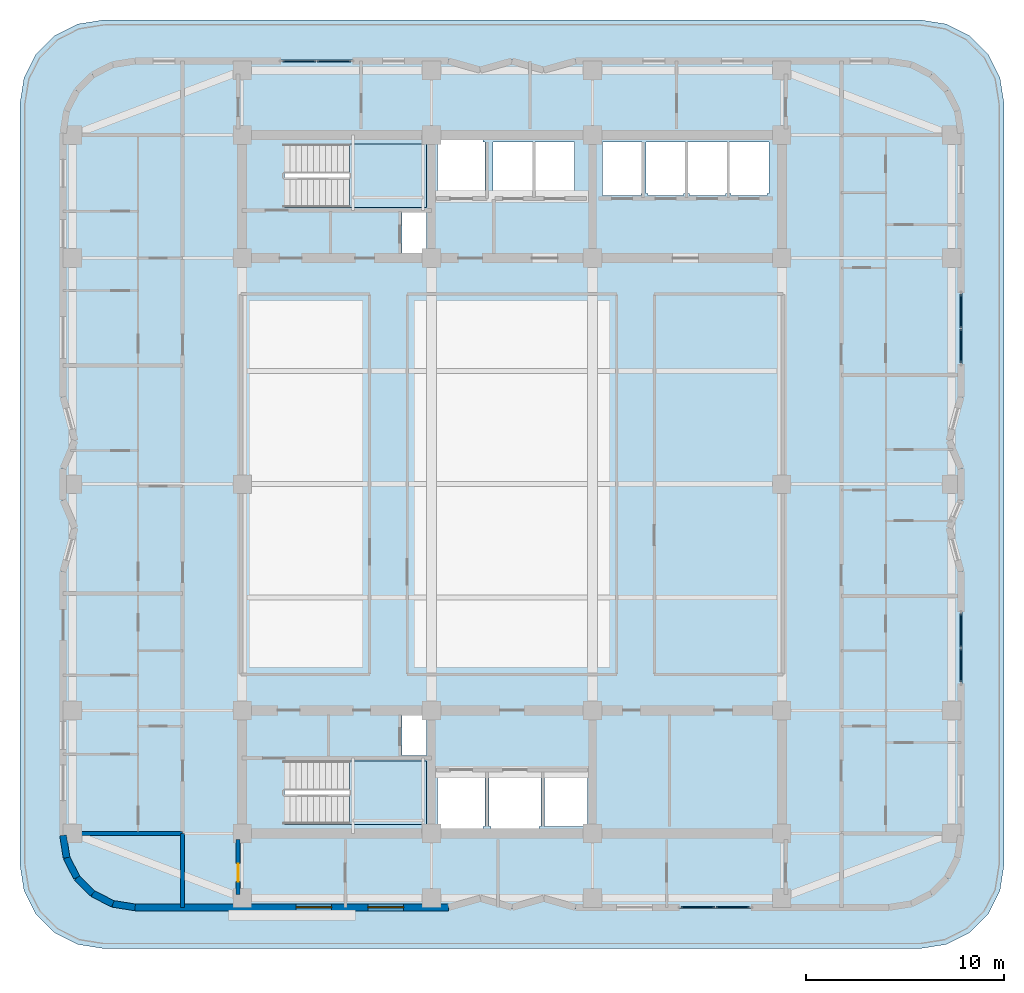
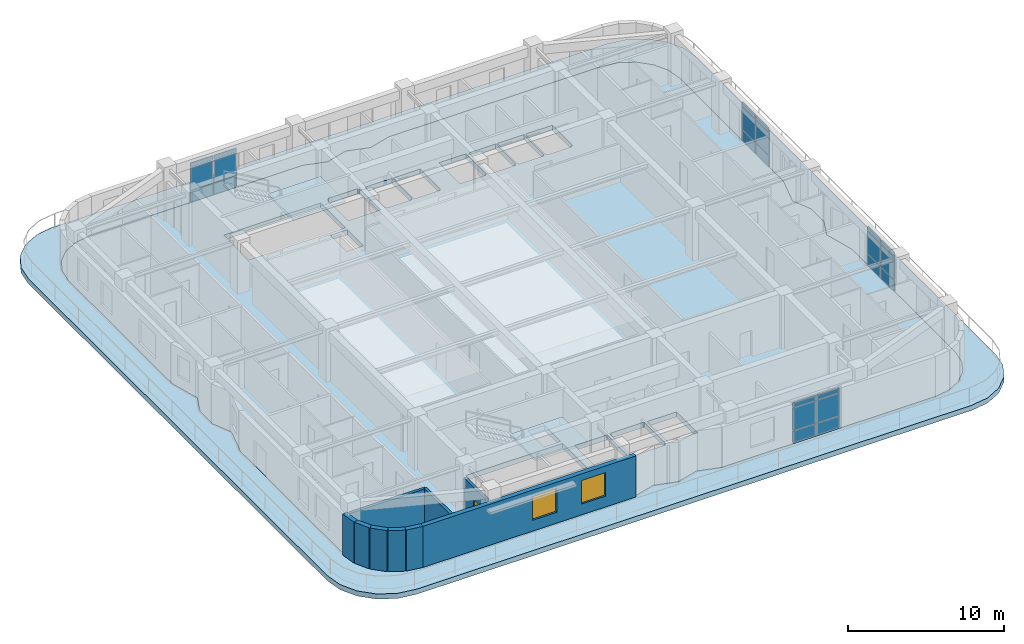
# One storey, part 5 of 14: 24 plates, 9 walls, 4 slabs, 2 windows, 1 door, 3 openings, 6 elements without a shape of their own.
"""IFC4 building model written with IfcOpenShell, lengths in metres."""

import ifcopenshell
import ifcopenshell.guid

model = None  # the IFC model being written
_history = None  # IfcOwnerHistory: only IFC2X3 demands one
_inside = {}  # id of a spatial element -> (the spatial element, [elements in it])
_under = {}  # id of a project, library or spatial element -> (it, [spatial elements below it])
_declared = {}  # id of a project -> (the project, [libraries it declares])
_typed = {}  # id of a type object -> (the type object, [elements of that type])
_made_of = {}  # id of a material, layer set ... -> (it, [elements and type objects made of it])


def new_model(schema):
    """Start an empty IFC model of exactly this schema.

    Asked for "IFC4X3", IfcOpenShell would pick the latest addendum, in which some entities
    have other attributes; the version numbers below select the first issue.
    IFC2X3 requires an IfcOwnerHistory on every rooted entity: one is made here for all.
    """
    global model, _history
    if schema == "IFC4X3":
        model = ifcopenshell.file(schema_version=(4, 3, 0, 0))
    else:
        model = ifcopenshell.file(schema=schema)
    _inside.clear()
    _under.clear()
    _declared.clear()
    _typed.clear()
    _made_of.clear()
    _history = None
    if model.schema == "IFC2X3":
        org = make("IfcOrganization", Name="unknown")
        user = make(
            "IfcPersonAndOrganization",
            ThePerson=make("IfcPerson", FamilyName="unknown"),
            TheOrganization=org,
        )
        app = make(
            "IfcApplication",
            ApplicationDeveloper=org,
            Version="unknown",
            ApplicationFullName="unknown",
            ApplicationIdentifier="unknown",
        )
        _history = make(
            "IfcOwnerHistory",
            OwningUser=user,
            OwningApplication=app,
            ChangeAction="ADDED",
            CreationDate=0,
        )
    return model


def make(cls, **values):
    """One entity of the class cls with the attributes given. An attribute that is None is left unset."""
    return model.create_entity(
        cls, **{name: value for name, value in values.items() if value is not None}
    )


def rooted(cls, **values):
    """An entity with a GlobalId (a new one), such as an element, a storey or a relation."""
    return make(cls, GlobalId=ifcopenshell.guid.new(), OwnerHistory=_history, **values)


def si_unit(unit_type, name, prefix=None):
    """IfcSIUnit, for example si_unit("LENGTHUNIT", "METRE", prefix="MILLI")."""
    return make("IfcSIUnit", UnitType=unit_type, Prefix=prefix, Name=name)


def assignment(units):
    """IfcUnitAssignment: the units of a project."""
    return None if units is None else make("IfcUnitAssignment", Units=units)


def point(xyz):
    """IfcCartesianPoint."""
    return None if xyz is None else make("IfcCartesianPoint", Coordinates=xyz)


def direction(xyz):
    """IfcDirection."""
    return None if xyz is None else make("IfcDirection", DirectionRatios=xyz)


def frame(location, z_axis=None, x_axis=None):
    """IfcAxis2Placement3D, a coordinate frame: its origin and axes. An axis left out is left unset."""
    return make(
        "IfcAxis2Placement3D",
        Location=point(location),
        Axis=direction(z_axis),
        RefDirection=direction(x_axis),
    )


def frame_2d(location, x_axis=None):
    """IfcAxis2Placement2D, a coordinate frame in the plane: its origin and x axis."""
    return make(
        "IfcAxis2Placement2D", Location=point(location), RefDirection=direction(x_axis)
    )


def origin():
    """The frame at (0, 0, 0) with its axes left unset."""
    return frame((0.0, 0.0, 0.0))


def origin_2d():
    """The frame at (0, 0) in the plane with its x axis left unset."""
    return frame_2d((0.0, 0.0))


def place(relative_to, where):
    """IfcLocalPlacement: puts the frame where relative to a parent placement (None: the world)."""
    return make(
        "IfcLocalPlacement", PlacementRelTo=relative_to, RelativePlacement=where
    )


def context(
    kind, dimensions, precision=None, world=None, true_north=None, identifier=None
):
    """IfcGeometricRepresentationContext, for example the 3D "Model" context."""
    return make(
        "IfcGeometricRepresentationContext",
        ContextIdentifier=identifier,
        ContextType=kind,
        CoordinateSpaceDimension=dimensions,
        Precision=precision,
        WorldCoordinateSystem=world,
        TrueNorth=true_north,
    )


def subcontext(parent, identifier, kind, view, scale=None):
    """IfcGeometricRepresentationSubContext, for example "Body" below "Model"."""
    return make(
        "IfcGeometricRepresentationSubContext",
        ContextIdentifier=identifier,
        ContextType=kind,
        ParentContext=parent,
        TargetScale=scale,
        TargetView=view,
    )


def project(units=None, contexts=None):
    """IfcProject with its units and contexts."""
    return rooted(
        "IfcProject",
        Name="project",
        RepresentationContexts=contexts,
        UnitsInContext=assignment(units),
    )


def spatial(cls, under=None, at=None, **own):
    """A site, building, storey or space (cls), placed at a placement, below another one or the project."""
    s = rooted(cls, ObjectPlacement=at, **own)
    if under is not None:
        _under.setdefault(under.id(), (under, []))[1].append(s)
    return s


def polyline(points):
    """IfcPolyline through the points."""
    return make("IfcPolyline", Points=[point(p) for p in points])


def profile(cls, at=None, kind="AREA", **sizes):
    """A parametric profile (cls). Its sizes go by their IFC names, for example OverallWidth=200.0."""
    return make(cls, ProfileType=kind, Position=at, **sizes)


def rectangle(**sizes):
    """IfcRectangleProfileDef."""
    return profile("IfcRectangleProfileDef", **sizes)


def outline(outer, holes=None, kind="AREA"):
    """IfcArbitraryClosedProfileDef: a profile drawn as a closed curve; with holes, ...WithVoids."""
    if holes is None:
        return make("IfcArbitraryClosedProfileDef", ProfileType=kind, OuterCurve=outer)
    return make(
        "IfcArbitraryProfileDefWithVoids",
        ProfileType=kind,
        OuterCurve=outer,
        InnerCurves=holes,
    )


def extrude(swept, where, along, depth):
    """IfcExtrudedAreaSolid: the profile swept, set in the frame where, extruded along a direction by depth."""
    return make(
        "IfcExtrudedAreaSolid",
        SweptArea=swept,
        Position=where,
        ExtrudedDirection=direction(along),
        Depth=depth,
    )


def shape(context_of_items, identifier, shape_type, items):
    """IfcShapeRepresentation: the items that make up one representation, for example the "Body"."""
    return make(
        "IfcShapeRepresentation",
        ContextOfItems=context_of_items,
        RepresentationIdentifier=identifier,
        RepresentationType=shape_type,
        Items=items,
    )


def material(Name=None, Category=None):
    """IfcMaterial."""
    return make("IfcMaterial", Name=Name, Category=Category)


def layer(
    of_material, thickness, ventilated=None, Name=None, Category=None, Priority=None
):
    """IfcMaterialLayer: one layer of a wall or slab, of a material (None: an air gap)."""
    return make(
        "IfcMaterialLayer",
        Material=of_material,
        LayerThickness=thickness,
        IsVentilated=ventilated,
        Name=Name,
        Category=Category,
        Priority=Priority,
    )


def layer_set(layers, Name=None):
    """IfcMaterialLayerSet."""
    return make("IfcMaterialLayerSet", MaterialLayers=layers, LayerSetName=Name)


def made_of(thing, what):
    """Note that an element or type object is made of a material, layer set ...; save() writes the relation."""
    if what is not None:
        _made_of.setdefault(what.id(), (what, []))[1].append(thing)
    return thing


def type_object(cls, material=None, **own):
    """A type object (cls), such as IfcWallType, which elements share."""
    return made_of(rooted(cls, **own), material)


def element(
    cls,
    number,
    at=None,
    inside=None,
    cuts=None,
    type_object=None,
    material=None,
    context=None,
    identifier="Body",
    shape_type=None,
    held_by="IfcProductDefinitionShape",
    body=None,
    shapes=None,
    **own,
):
    """One element of the class cls, such as IfcWall. Its Tag is "e" and its number.

    at: its placement. inside: the storey or other place that contains it. cuts: it is an
    opening in that element (IfcRelVoidsElement). A single representation is given by context,
    identifier, shape_type and body (its items); several are given by shapes. held_by: the class
    of the entity that holds the representations. save() writes the other relations.
    """
    e = rooted(cls, Tag="e%d" % number, ObjectPlacement=at, **own)
    if body is not None:
        shapes = [shape(context, identifier, shape_type, body)]
    if shapes is not None:
        e.Representation = make(held_by, Representations=shapes)
    if inside is not None:
        _inside.setdefault(inside.id(), (inside, []))[1].append(e)
    if cuts is not None:
        rooted(
            "IfcRelVoidsElement", RelatingBuildingElement=cuts, RelatedOpeningElement=e
        )
    if type_object is not None:
        _typed.setdefault(type_object.id(), (type_object, []))[1].append(e)
    return made_of(e, material)


def fill(opening, filler):
    """IfcRelFillsElement: the door or window that sits in an opening."""
    return rooted(
        "IfcRelFillsElement",
        RelatingOpeningElement=opening,
        RelatedBuildingElement=filler,
    )


def aggregate(whole, parts):
    """IfcRelAggregates: a whole, such as a stair, and the parts it consists of."""
    return rooted("IfcRelAggregates", RelatingObject=whole, RelatedObjects=parts)


def save(model, path):
    """Write the relations noted so far, then the file.

    IfcRelAggregates (storeys below a building ...), IfcRelContainedInSpatialStructure (elements
    in a storey), IfcRelDefinesByType, IfcRelAssociatesMaterial and IfcRelDeclares: one each for
    every whole, place, type object, material and project.
    """
    for whole, parts in _under.values():
        aggregate(whole, parts)
    for where, things in _inside.values():
        rooted(
            "IfcRelContainedInSpatialStructure",
            RelatedElements=things,
            RelatingStructure=where,
        )
    for kind, things in _typed.values():
        rooted("IfcRelDefinesByType", RelatedObjects=things, RelatingType=kind)
    for what, things in _made_of.values():
        rooted("IfcRelAssociatesMaterial", RelatedObjects=things, RelatingMaterial=what)
    for by, libraries in _declared.values():
        rooted("IfcRelDeclares", RelatingContext=by, RelatedDefinitions=libraries)
    model.write(path)


model = new_model("IFC4")

# Units and contexts
model_context = context("Model", 3, precision=1e-05, world=origin(), true_north=direction((0.0, 1.0)))
body_context = subcontext(model_context, "Body", "Model", "MODEL_VIEW")
ifc_project = project(units=[si_unit("LENGTHUNIT", "METRE"), si_unit("AREAUNIT", "SQUARE_METRE"), si_unit("VOLUMEUNIT", "CUBIC_METRE"), si_unit("PLANEANGLEUNIT", "RADIAN"), si_unit("MASSUNIT", "GRAM", prefix="KILO")], contexts=[model_context])

# Site, building, storey
site_placement = place(None, origin())
site = spatial("IfcSite", under=ifc_project, at=site_placement, CompositionType="ELEMENT")
building_placement = place(site_placement, origin())
building = spatial("IfcBuilding", under=site, at=building_placement, Name="Svetorya Sky Lyceum", CompositionType="ELEMENT")
storey_placement = place(building_placement, frame((0.0, 0.0, 143.60009765625)))
storey = spatial("IfcBuildingStorey", under=building, at=storey_placement, Name="L35", CompositionType="ELEMENT", Elevation=143.60009765625)

# Curtain wall, plates
ifc_material_1 = material(Name="Thermally broken anodized aluminium and triple low-E glass", Category="aluminium")
curtain_wall_type = type_object("IfcCurtainWallType", Name="CW4-SKY-GALL", PredefinedType="NOTDEFINED", material=ifc_material_1)
curtain_wall_1_placement = place(storey_placement, origin())
curtain_wall_1 = element("IfcCurtainWall", 1, at=curtain_wall_1_placement, inside=storey, type_object=curtain_wall_type, Name="L35 Sky-Lobby Panorama Curtain Wall 11", PredefinedType="NOTDEFINED")
ifc_material_2 = material(Name="Acoustic laminated observatory triple glass", Category="glass")
ifc_layer_1 = layer(ifc_material_2, 0.055908203125)
ifc_layer_set_1 = layer_set([ifc_layer_1], Name="Acoustic laminated observatory triple glass")
plate_type = type_object("IfcPlateType", Name="CWP-GLZ-56", PredefinedType="CURTAIN_PANEL", material=ifc_layer_set_1)
plate_1_placement = place(storey_placement, frame((48.5712890625, 6.8701171875, 0.073486328125), z_axis=(0.0, 0.0, 1.0), x_axis=(1.0, 0.0, 0.0)))
plate_1 = element("IfcPlate", 2, at=plate_1_placement, type_object=plate_type, Name="CW-4 panel 1.1", PredefinedType="CURTAIN_PANEL", context=body_context, shape_type="SweptSolid", body=[
    extrude(rectangle(XDim=1.675537109375, YDim=0.055908203125, at=origin_2d()), origin(), (0.0, 0.0, 1.0), 0.8564453125),
])
plate_2_placement = place(storey_placement, frame((48.5712890625, 6.8701171875, 1.001953125), z_axis=(0.0, 0.0, 1.0), x_axis=(1.0, 0.0, 0.0)))
plate_2 = element("IfcPlate", 3, at=plate_2_placement, type_object=plate_type, Name="CW-4 panel 1.2", PredefinedType="CURTAIN_PANEL", context=body_context, shape_type="SweptSolid", body=[
    extrude(rectangle(XDim=1.675537109375, YDim=0.055908203125, at=origin_2d()), origin(), (0.0, 0.0, 1.0), 1.73193359375),
])
plate_3_placement = place(storey_placement, frame((48.5712890625, 6.8701171875, 2.8056640625), z_axis=(0.0, 0.0, 1.0), x_axis=(1.0, 0.0, 0.0)))
plate_3 = element("IfcPlate", 4, at=plate_3_placement, type_object=plate_type, Name="CW-4 panel 1.3", PredefinedType="CURTAIN_PANEL", context=body_context, shape_type="SweptSolid", body=[
    extrude(rectangle(XDim=1.675537109375, YDim=0.055908203125, at=origin_2d()), origin(), (0.0, 0.0, 1.0), 0.340576171875),
])
plate_4_placement = place(storey_placement, frame((50.328857421875, 6.8701171875, 0.073486328125), z_axis=(0.0, 0.0, 1.0), x_axis=(1.0, 0.0, 0.0)))
plate_4 = element("IfcPlate", 5, at=plate_4_placement, type_object=plate_type, Name="CW-4 panel 2.1", PredefinedType="CURTAIN_PANEL", context=body_context, shape_type="SweptSolid", body=[
    extrude(rectangle(XDim=1.675537109375, YDim=0.055908203125, at=origin_2d()), origin(), (0.0, 0.0, 1.0), 0.8564453125),
])
plate_5_placement = place(storey_placement, frame((50.328857421875, 6.8701171875, 1.001953125), z_axis=(0.0, 0.0, 1.0), x_axis=(1.0, 0.0, 0.0)))
plate_5 = element("IfcPlate", 6, at=plate_5_placement, type_object=plate_type, Name="CW-4 panel 2.2", PredefinedType="CURTAIN_PANEL", context=body_context, shape_type="SweptSolid", body=[
    extrude(rectangle(XDim=1.675537109375, YDim=0.055908203125, at=origin_2d()), origin(), (0.0, 0.0, 1.0), 1.73193359375),
])
plate_6_placement = place(storey_placement, frame((50.328857421875, 6.8701171875, 2.8056640625), z_axis=(0.0, 0.0, 1.0), x_axis=(1.0, 0.0, 0.0)))
plate_6 = element("IfcPlate", 7, at=plate_6_placement, type_object=plate_type, Name="CW-4 panel 2.3", PredefinedType="CURTAIN_PANEL", context=body_context, shape_type="SweptSolid", body=[
    extrude(rectangle(XDim=1.675537109375, YDim=0.055908203125, at=origin_2d()), origin(), (0.0, 0.0, 1.0), 0.340576171875),
])
aggregate(curtain_wall_1, [plate_1, plate_2, plate_3, plate_4, plate_5, plate_6])

curtain_wall_2_placement = place(storey_placement, origin())
curtain_wall_2 = element("IfcCurtainWall", 8, at=curtain_wall_2_placement, inside=storey, type_object=curtain_wall_type, Name="L35 Sky-Lobby Panorama Curtain Wall 17", PredefinedType="NOTDEFINED")
plate_7_placement = place(storey_placement, frame((61.830078125, 19.0712890625, 0.073486328125), z_axis=(0.0, 0.0, 1.0), x_axis=(0.0, 1.0, 0.0)))
plate_7 = element("IfcPlate", 9, at=plate_7_placement, type_object=plate_type, Name="CW-4 panel 1.1", PredefinedType="CURTAIN_PANEL", context=body_context, shape_type="SweptSolid", body=[
    extrude(rectangle(XDim=1.675537109375, YDim=0.055908203125, at=origin_2d()), origin(), (0.0, 0.0, 1.0), 0.8564453125),
])
plate_8_placement = place(storey_placement, frame((61.830078125, 19.0712890625, 1.001953125), z_axis=(0.0, 0.0, 1.0), x_axis=(0.0, 1.0, 0.0)))
plate_8 = element("IfcPlate", 10, at=plate_8_placement, type_object=plate_type, Name="CW-4 panel 1.2", PredefinedType="CURTAIN_PANEL", context=body_context, shape_type="SweptSolid", body=[
    extrude(rectangle(XDim=1.675537109375, YDim=0.055908203125, at=origin_2d()), origin(), (0.0, 0.0, 1.0), 1.73193359375),
])
plate_9_placement = place(storey_placement, frame((61.830078125, 19.0712890625, 2.8056640625), z_axis=(0.0, 0.0, 1.0), x_axis=(0.0, 1.0, 0.0)))
plate_9 = element("IfcPlate", 11, at=plate_9_placement, type_object=plate_type, Name="CW-4 panel 1.3", PredefinedType="CURTAIN_PANEL", context=body_context, shape_type="SweptSolid", body=[
    extrude(rectangle(XDim=1.675537109375, YDim=0.055908203125, at=origin_2d()), origin(), (0.0, 0.0, 1.0), 0.340576171875),
])
plate_10_placement = place(storey_placement, frame((61.830078125, 20.828857421875, 0.073486328125), z_axis=(0.0, 0.0, 1.0), x_axis=(0.0, 1.0, 0.0)))
plate_10 = element("IfcPlate", 12, at=plate_10_placement, type_object=plate_type, Name="CW-4 panel 2.1", PredefinedType="CURTAIN_PANEL", context=body_context, shape_type="SweptSolid", body=[
    extrude(rectangle(XDim=1.675537109375, YDim=0.055908203125, at=origin_2d()), origin(), (0.0, 0.0, 1.0), 0.8564453125),
])
plate_11_placement = place(storey_placement, frame((61.830078125, 20.828857421875, 1.001953125), z_axis=(0.0, 0.0, 1.0), x_axis=(0.0, 1.0, 0.0)))
plate_11 = element("IfcPlate", 13, at=plate_11_placement, type_object=plate_type, Name="CW-4 panel 2.2", PredefinedType="CURTAIN_PANEL", context=body_context, shape_type="SweptSolid", body=[
    extrude(rectangle(XDim=1.675537109375, YDim=0.055908203125, at=origin_2d()), origin(), (0.0, 0.0, 1.0), 1.73193359375),
])
plate_12_placement = place(storey_placement, frame((61.830078125, 20.828857421875, 2.8056640625), z_axis=(0.0, 0.0, 1.0), x_axis=(0.0, 1.0, 0.0)))
plate_12 = element("IfcPlate", 14, at=plate_12_placement, type_object=plate_type, Name="CW-4 panel 2.3", PredefinedType="CURTAIN_PANEL", context=body_context, shape_type="SweptSolid", body=[
    extrude(rectangle(XDim=1.675537109375, YDim=0.055908203125, at=origin_2d()), origin(), (0.0, 0.0, 1.0), 0.340576171875),
])
aggregate(curtain_wall_2, [plate_7, plate_8, plate_9, plate_10, plate_11, plate_12])

curtain_wall_3_placement = place(storey_placement, origin())
curtain_wall_3 = element("IfcCurtainWall", 15, at=curtain_wall_3_placement, inside=storey, type_object=curtain_wall_type, Name="L35 Sky-Lobby Panorama Curtain Wall 23", PredefinedType="NOTDEFINED")
plate_13_placement = place(storey_placement, frame((61.830078125, 35.171142578125, 0.073486328125), z_axis=(0.0, 0.0, 1.0), x_axis=(0.0, 1.0, 0.0)))
plate_13 = element("IfcPlate", 16, at=plate_13_placement, type_object=plate_type, Name="CW-4 panel 1.1", PredefinedType="CURTAIN_PANEL", context=body_context, shape_type="SweptSolid", body=[
    extrude(rectangle(XDim=1.675537109375, YDim=0.055908203125, at=origin_2d()), origin(), (0.0, 0.0, 1.0), 0.8564453125),
])
plate_14_placement = place(storey_placement, frame((61.830078125, 35.171142578125, 1.001953125), z_axis=(0.0, 0.0, 1.0), x_axis=(0.0, 1.0, 0.0)))
plate_14 = element("IfcPlate", 17, at=plate_14_placement, type_object=plate_type, Name="CW-4 panel 1.2", PredefinedType="CURTAIN_PANEL", context=body_context, shape_type="SweptSolid", body=[
    extrude(rectangle(XDim=1.675537109375, YDim=0.055908203125, at=origin_2d()), origin(), (0.0, 0.0, 1.0), 1.73193359375),
])
plate_15_placement = place(storey_placement, frame((61.830078125, 35.171142578125, 2.8056640625), z_axis=(0.0, 0.0, 1.0), x_axis=(0.0, 1.0, 0.0)))
plate_15 = element("IfcPlate", 18, at=plate_15_placement, type_object=plate_type, Name="CW-4 panel 1.3", PredefinedType="CURTAIN_PANEL", context=body_context, shape_type="SweptSolid", body=[
    extrude(rectangle(XDim=1.675537109375, YDim=0.055908203125, at=origin_2d()), origin(), (0.0, 0.0, 1.0), 0.340576171875),
])
plate_16_placement = place(storey_placement, frame((61.830078125, 36.9287109375, 0.073486328125), z_axis=(0.0, 0.0, 1.0), x_axis=(0.0, 1.0, 0.0)))
plate_16 = element("IfcPlate", 19, at=plate_16_placement, type_object=plate_type, Name="CW-4 panel 2.1", PredefinedType="CURTAIN_PANEL", context=body_context, shape_type="SweptSolid", body=[
    extrude(rectangle(XDim=1.675537109375, YDim=0.055908203125, at=origin_2d()), origin(), (0.0, 0.0, 1.0), 0.8564453125),
])
plate_17_placement = place(storey_placement, frame((61.830078125, 36.9287109375, 1.001953125), z_axis=(0.0, 0.0, 1.0), x_axis=(0.0, 1.0, 0.0)))
plate_17 = element("IfcPlate", 20, at=plate_17_placement, type_object=plate_type, Name="CW-4 panel 2.2", PredefinedType="CURTAIN_PANEL", context=body_context, shape_type="SweptSolid", body=[
    extrude(rectangle(XDim=1.675537109375, YDim=0.055908203125, at=origin_2d()), origin(), (0.0, 0.0, 1.0), 1.73193359375),
])
plate_18_placement = place(storey_placement, frame((61.830078125, 36.9287109375, 2.8056640625), z_axis=(0.0, 0.0, 1.0), x_axis=(0.0, 1.0, 0.0)))
plate_18 = element("IfcPlate", 21, at=plate_18_placement, type_object=plate_type, Name="CW-4 panel 2.3", PredefinedType="CURTAIN_PANEL", context=body_context, shape_type="SweptSolid", body=[
    extrude(rectangle(XDim=1.675537109375, YDim=0.055908203125, at=origin_2d()), origin(), (0.0, 0.0, 1.0), 0.340576171875),
])
aggregate(curtain_wall_3, [plate_13, plate_14, plate_15, plate_16, plate_17, plate_18])

curtain_wall_4_placement = place(storey_placement, origin())
curtain_wall_4 = element("IfcCurtainWall", 22, at=curtain_wall_4_placement, inside=storey, type_object=curtain_wall_type, Name="L35 Sky-Lobby Panorama Curtain Wall 34", PredefinedType="NOTDEFINED")
plate_19_placement = place(storey_placement, frame((30.228759765625, 49.530029296875, 0.073486328125), z_axis=(0.0, 0.0, 1.0), x_axis=(-1.0, 0.0, 0.0)))
plate_19 = element("IfcPlate", 23, at=plate_19_placement, type_object=plate_type, Name="CW-4 panel 1.1", PredefinedType="CURTAIN_PANEL", context=body_context, shape_type="SweptSolid", body=[
    extrude(rectangle(XDim=1.675537109375, YDim=0.055908203125, at=origin_2d()), origin(), (0.0, 0.0, 1.0), 0.8564453125),
])
plate_20_placement = place(storey_placement, frame((30.228759765625, 49.530029296875, 1.001953125), z_axis=(0.0, 0.0, 1.0), x_axis=(-1.0, 0.0, 0.0)))
plate_20 = element("IfcPlate", 24, at=plate_20_placement, type_object=plate_type, Name="CW-4 panel 1.2", PredefinedType="CURTAIN_PANEL", context=body_context, shape_type="SweptSolid", body=[
    extrude(rectangle(XDim=1.675537109375, YDim=0.055908203125, at=origin_2d()), origin(), (0.0, 0.0, 1.0), 1.73193359375),
])
plate_21_placement = place(storey_placement, frame((30.228759765625, 49.530029296875, 2.8056640625), z_axis=(0.0, 0.0, 1.0), x_axis=(-1.0, 0.0, 0.0)))
plate_21 = element("IfcPlate", 25, at=plate_21_placement, type_object=plate_type, Name="CW-4 panel 1.3", PredefinedType="CURTAIN_PANEL", context=body_context, shape_type="SweptSolid", body=[
    extrude(rectangle(XDim=1.675537109375, YDim=0.055908203125, at=origin_2d()), origin(), (0.0, 0.0, 1.0), 0.340576171875),
])
plate_22_placement = place(storey_placement, frame((28.47119140625, 49.530029296875, 0.073486328125), z_axis=(0.0, 0.0, 1.0), x_axis=(-1.0, 0.0, 0.0)))
plate_22 = element("IfcPlate", 26, at=plate_22_placement, type_object=plate_type, Name="CW-4 panel 2.1", PredefinedType="CURTAIN_PANEL", context=body_context, shape_type="SweptSolid", body=[
    extrude(rectangle(XDim=1.675537109375, YDim=0.055908203125, at=origin_2d()), origin(), (0.0, 0.0, 1.0), 0.8564453125),
])
plate_23_placement = place(storey_placement, frame((28.47119140625, 49.530029296875, 1.001953125), z_axis=(0.0, 0.0, 1.0), x_axis=(-1.0, 0.0, 0.0)))
plate_23 = element("IfcPlate", 27, at=plate_23_placement, type_object=plate_type, Name="CW-4 panel 2.2", PredefinedType="CURTAIN_PANEL", context=body_context, shape_type="SweptSolid", body=[
    extrude(rectangle(XDim=1.675537109375, YDim=0.055908203125, at=origin_2d()), origin(), (0.0, 0.0, 1.0), 1.73193359375),
])
plate_24_placement = place(storey_placement, frame((28.47119140625, 49.530029296875, 2.8056640625), z_axis=(0.0, 0.0, 1.0), x_axis=(-1.0, 0.0, 0.0)))
plate_24 = element("IfcPlate", 28, at=plate_24_placement, type_object=plate_type, Name="CW-4 panel 2.3", PredefinedType="CURTAIN_PANEL", context=body_context, shape_type="SweptSolid", body=[
    extrude(rectangle(XDim=1.675537109375, YDim=0.055908203125, at=origin_2d()), origin(), (0.0, 0.0, 1.0), 0.340576171875),
])
aggregate(curtain_wall_4, [plate_19, plate_20, plate_21, plate_22, plate_23, plate_24])

# Stair, slab
ifc_material_3 = material(Name="Concrete C40/50", Category="concrete")
stair_type_1 = type_object("IfcStairType", Name="STR-ST-S", PredefinedType="HALF_TURN_STAIR", material=ifc_material_3)
stair_1_placement = place(storey_placement, origin())
stair_1 = element("IfcStair", 29, at=stair_1_placement, inside=storey, type_object=stair_type_1, Name="L35 South Core Smoke-Free Exit Stair N2", PredefinedType="HALF_TURN_STAIR")
ifc_layer_2 = layer(ifc_material_3, 0.199951171875)
ifc_layer_set_2 = layer_set([ifc_layer_2], Name="Concrete C40/50")
slab_type_1 = type_object("IfcSlabType", Name="SL-STR-LAND-200", PredefinedType="LANDING", material=ifc_layer_set_2)
slab_1_placement = place(storey_placement, frame((0.0, 0.0, 1.89990234375)))
slab_1 = element("IfcSlab", 30, at=slab_1_placement, type_object=slab_type_1, Name="ST-S landing 1", PredefinedType="LANDING", context=body_context, shape_type="SweptSolid", body=[
    extrude(outline(polyline([(31.0, 11.050048828125), (34.89990234375, 11.050048828125), (34.89990234375, 14.25), (31.0, 14.25), (31.0, 11.050048828125)])), origin(), (0.0, 0.0, 1.0), 0.199951171875),
])
aggregate(stair_1, [slab_1])

stair_type_2 = type_object("IfcStairType", Name="STR-ST-N", PredefinedType="HALF_TURN_STAIR", material=ifc_material_3)
stair_2_placement = place(storey_placement, origin())
stair_2 = element("IfcStair", 31, at=stair_2_placement, inside=storey, type_object=stair_type_2, Name="L35 North Core Smoke-Free Exit Stair N3", PredefinedType="HALF_TURN_STAIR")
slab_2_placement = place(storey_placement, frame((0.0, 0.0, 1.89990234375)))
slab_2 = element("IfcSlab", 32, at=slab_2_placement, type_object=slab_type_1, Name="ST-N landing 1", PredefinedType="LANDING", context=body_context, shape_type="SweptSolid", body=[
    extrude(outline(polyline([(31.0, 42.14990234375), (34.89990234375, 42.14990234375), (34.89990234375, 45.35009765625), (31.0, 45.35009765625), (31.0, 42.14990234375)])), origin(), (0.0, 0.0, 1.0), 0.199951171875),
])
aggregate(stair_2, [slab_2])

# Slabs
ifc_material_4 = material(Name="Concrete C60/75", Category="concrete")
ifc_layer_3 = layer(ifc_material_4, 0.39990234375)
ifc_layer_set_3 = layer_set([ifc_layer_3], Name="Concrete C60/75")
slab_type_2 = type_object("IfcSlabType", Name="SL-TER-400", PredefinedType="ROOF", material=ifc_layer_set_3)
slab_3_placement = place(storey_placement, frame((0.0, 0.0, -0.400146484375)))
element("IfcSlab", 33, at=slab_3_placement, inside=storey, type_object=slab_type_2, Name="L35 Setback Roof Terrace Apron", PredefinedType="ROOF", context=body_context, shape_type="SweptSolid", body=[
    extrude(outline(polyline([(14.39990234375, 9.0), (14.605712890625, 7.7021484375), (15.2021484375, 6.53125), (16.13134765625, 5.60205078125), (17.302001953125, 5.005615234375), (18.60009765625, 4.800048828125), (59.800048828125, 4.800048828125), (61.097900390625, 5.005615234375), (62.268798828125, 5.60205078125), (63.197998046875, 6.53125), (63.79443359375, 7.7021484375), (64.0, 9.0), (64.0, 47.39990234375), (63.79443359375, 48.697998046875), (63.197998046875, 49.86865234375), (62.268798828125, 50.7978515625), (61.097900390625, 51.394287109375), (59.800048828125, 51.60009765625), (18.60009765625, 51.60009765625), (17.302001953125, 51.394287109375), (16.13134765625, 50.7978515625), (15.2021484375, 49.86865234375), (14.605712890625, 48.697998046875), (14.39990234375, 47.39990234375), (14.39990234375, 9.0)]), holes=[polyline([(16.52001953125, 10.5), (16.7001953125, 9.36279296875), (17.222900390625, 8.3369140625), (18.037109375, 7.522705078125), (19.062744140625, 7.0), (20.199951171875, 6.820068359375), (36.0, 6.820068359375), (37.60009765625, 7.27001953125), (39.199951171875, 6.820068359375), (40.800048828125, 7.27001953125), (42.39990234375, 6.820068359375), (58.199951171875, 6.820068359375), (59.337158203125, 7.0), (60.363037109375, 7.522705078125), (61.17724609375, 8.3369140625), (61.699951171875, 9.36279296875), (61.8798828125, 10.5), (61.8798828125, 23.800048828125), (61.280029296875, 26.0), (61.8798828125, 27.39990234375), (61.8798828125, 29.0), (61.280029296875, 30.39990234375), (61.8798828125, 32.60009765625), (61.8798828125, 45.89990234375), (61.699951171875, 47.037109375), (61.17724609375, 48.06298828125), (60.363037109375, 48.877197265625), (59.337158203125, 49.39990234375), (58.199951171875, 49.580078125), (42.39990234375, 49.580078125), (40.800048828125, 49.1298828125), (39.199951171875, 49.580078125), (37.60009765625, 49.1298828125), (36.0, 49.580078125), (20.199951171875, 49.580078125), (19.062744140625, 49.39990234375), (18.037109375, 48.877197265625), (17.222900390625, 48.06298828125), (16.7001953125, 47.037109375), (16.52001953125, 45.89990234375), (16.52001953125, 32.60009765625), (17.1201171875, 30.39990234375), (16.52001953125, 29.0), (16.52001953125, 27.39990234375), (17.1201171875, 26.0), (16.52001953125, 23.800048828125), (16.52001953125, 10.5)])]), origin(), (0.0, 0.0, 1.0), 0.400146484375),
])
ifc_layer_4 = layer(ifc_material_4, 0.39990234375)
ifc_layer_set_4 = layer_set([ifc_layer_4], Name="Concrete C60/75")
slab_type_3 = type_object("IfcSlabType", Name="SL-TRF-400", PredefinedType="FLOOR", material=ifc_layer_set_4)
slab_4_placement = place(storey_placement, frame((0.0, 0.0, -0.400146484375)))
element("IfcSlab", 34, at=slab_4_placement, inside=storey, type_object=slab_type_3, Name="L35 Structural Floor Slab", PredefinedType="FLOOR", context=body_context, shape_type="SweptSolid", body=[
    extrude(outline(polyline([(16.52001953125, 10.5), (16.7001953125, 9.36279296875), (17.222900390625, 8.3369140625), (18.037109375, 7.522705078125), (19.062744140625, 7.0), (20.199951171875, 6.820068359375), (36.0, 6.820068359375), (37.60009765625, 7.27001953125), (39.199951171875, 6.820068359375), (40.800048828125, 7.27001953125), (42.39990234375, 6.820068359375), (58.199951171875, 6.820068359375), (59.337158203125, 7.0), (60.363037109375, 7.522705078125), (61.17724609375, 8.3369140625), (61.699951171875, 9.36279296875), (61.8798828125, 10.5), (61.8798828125, 23.800048828125), (61.280029296875, 26.0), (61.8798828125, 27.39990234375), (61.8798828125, 29.0), (61.280029296875, 30.39990234375), (61.8798828125, 32.60009765625), (61.8798828125, 45.89990234375), (61.699951171875, 47.037109375), (61.17724609375, 48.06298828125), (60.363037109375, 48.877197265625), (59.337158203125, 49.39990234375), (58.199951171875, 49.580078125), (42.39990234375, 49.580078125), (40.800048828125, 49.1298828125), (39.199951171875, 49.580078125), (37.60009765625, 49.1298828125), (36.0, 49.580078125), (20.199951171875, 49.580078125), (19.062744140625, 49.39990234375), (18.037109375, 48.877197265625), (17.222900390625, 48.06298828125), (16.7001953125, 47.037109375), (16.52001953125, 45.89990234375), (16.52001953125, 32.60009765625), (17.1201171875, 30.39990234375), (16.52001953125, 29.0), (16.52001953125, 27.39990234375), (17.1201171875, 26.0), (16.52001953125, 23.800048828125), (16.52001953125, 10.5)]), holes=[polyline([(37.85009765625, 10.949951171875), (37.75, 10.949951171875), (37.75, 10.85009765625), (35.550048828125, 10.85009765625), (35.550048828125, 10.949951171875), (35.449951171875, 10.949951171875), (35.449951171875, 13.64990234375), (35.550048828125, 13.64990234375), (37.75, 13.64990234375), (37.85009765625, 13.64990234375), (37.85009765625, 10.949951171875)]), polyline([(40.64990234375, 13.64990234375), (40.64990234375, 10.949951171875), (40.550048828125, 10.949951171875), (40.550048828125, 10.800048828125), (38.14990234375, 10.800048828125), (38.14990234375, 10.949951171875), (38.050048828125, 10.949951171875), (38.050048828125, 13.64990234375), (38.14990234375, 13.64990234375), (38.14990234375, 13.699951171875), (40.550048828125, 13.699951171875), (40.550048828125, 13.64990234375), (40.64990234375, 13.64990234375)]), polyline([(27.719970703125, 14.25), (34.89990234375, 14.25), (34.89990234375, 11.050048828125), (27.719970703125, 11.050048828125), (27.719970703125, 14.25)]), polyline([(33.64990234375, 14.52001953125), (33.64990234375, 16.580078125), (34.89990234375, 16.580078125), (34.89990234375, 14.52001953125), (33.64990234375, 14.52001953125)]), polyline([(33.64990234375, 41.89990234375), (34.89990234375, 41.89990234375), (34.89990234375, 39.820068359375), (33.64990234375, 39.820068359375), (33.64990234375, 41.89990234375)]), polyline([(27.719970703125, 45.35009765625), (34.89990234375, 45.35009765625), (34.89990234375, 42.14990234375), (27.719970703125, 42.14990234375), (27.719970703125, 45.35009765625)]), polyline([(37.75, 45.550048828125), (37.75, 45.449951171875), (37.85009765625, 45.449951171875), (37.85009765625, 42.75), (37.75, 42.75), (35.550048828125, 42.75), (35.449951171875, 42.75), (35.449951171875, 45.449951171875), (35.550048828125, 45.449951171875), (35.550048828125, 45.550048828125), (37.75, 45.550048828125)]), polyline([(38.39990234375, 42.85009765625), (38.25, 42.85009765625), (38.25, 45.449951171875), (38.39990234375, 45.449951171875), (40.199951171875, 45.449951171875), (40.25, 45.449951171875), (40.25, 42.85009765625), (40.199951171875, 42.85009765625), (40.199951171875, 42.75), (38.39990234375, 42.75), (38.39990234375, 42.85009765625)]), polyline([(40.85009765625, 13.64990234375), (43.0, 13.64990234375), (43.0, 10.949951171875), (40.85009765625, 10.949951171875), (40.85009765625, 13.64990234375)]), polyline([(40.39990234375, 42.85009765625), (40.35009765625, 42.85009765625), (40.35009765625, 45.449951171875), (40.39990234375, 45.449951171875), (42.300048828125, 45.449951171875), (42.35009765625, 45.449951171875), (42.35009765625, 42.85009765625), (42.300048828125, 42.85009765625), (42.300048828125, 42.75), (40.39990234375, 42.75), (40.39990234375, 42.85009765625)]), polyline([(43.75, 42.75), (43.75, 42.85009765625), (43.75, 45.449951171875), (45.699951171875, 45.449951171875), (45.75, 45.449951171875), (45.75, 42.85009765625), (45.699951171875, 42.85009765625), (45.699951171875, 42.75), (43.75, 42.75)]), polyline([(46.050048828125, 42.85009765625), (45.949951171875, 42.85009765625), (45.949951171875, 45.449951171875), (46.050048828125, 45.449951171875), (47.85009765625, 45.449951171875), (47.949951171875, 45.449951171875), (47.949951171875, 42.85009765625), (47.85009765625, 42.85009765625), (47.85009765625, 42.75), (46.050048828125, 42.75), (46.050048828125, 42.85009765625)]), polyline([(48.14990234375, 42.85009765625), (48.050048828125, 42.85009765625), (48.050048828125, 45.449951171875), (48.14990234375, 45.449951171875), (49.949951171875, 45.449951171875), (50.050048828125, 45.449951171875), (50.050048828125, 42.85009765625), (49.949951171875, 42.85009765625), (49.949951171875, 42.75), (48.14990234375, 42.75), (48.14990234375, 42.85009765625)]), polyline([(52.14990234375, 42.85009765625), (52.050048828125, 42.85009765625), (52.050048828125, 42.75), (50.25, 42.75), (50.25, 42.85009765625), (50.14990234375, 42.85009765625), (50.14990234375, 45.449951171875), (50.25, 45.449951171875), (52.050048828125, 45.449951171875), (52.14990234375, 45.449951171875), (52.14990234375, 42.85009765625)])]), origin(), (0.0, 0.0, 1.0), 0.400146484375),
])

# Walls
ifc_material_5 = material(Name="Putilovo limestone rainscreen on autoclaved cellular masonry", Category="masonry")
ifc_layer_5 = layer(ifc_material_5, 0.340087890625)
ifc_layer_set_5 = layer_set([ifc_layer_5], Name="Putilovo limestone rainscreen on autoclaved cellular masonry")
wall_type_1 = type_object("IfcWallType", Name="WL-EXT-340", PredefinedType="SOLIDWALL", material=ifc_layer_set_5)
wall_1_placement = place(storey_placement, frame((16.570068359375, 10.5, 0.0), z_axis=(0.0, 0.0, 1.0), x_axis=(0.156514556949, -0.987675651954, 0.0)))
element("IfcWall", 35, at=wall_1_placement, inside=storey, type_object=wall_type_1, Name="L35 Limestone Exterior Wall 1M", PredefinedType="SOLIDWALL", context=body_context, shape_type="SweptSolid", body=[
    extrude(rectangle(XDim=1.135498046875, YDim=0.340087890625, at=frame_2d((0.56787109375, 0.0))), origin(), (0.0, 0.0, 1.0), 3.219970703125),
])
for number, where, z_axis, x_axis, name in (
    (36, (16.747802734375, 9.37841796875, 0.0), (0.0, 0.0, 1.0), (0.45373580117, -0.891136253744, 0.0), "L35 Limestone Exterior Wall 2M"),
    (37, (17.26318359375, 8.3662109375, 0.0), (0.0, 0.0, 1.0), (0.707214252388, -0.706999293649, 0.0), "L35 Limestone Exterior Wall 3M"),
    (38, (18.06640625, 7.563232421875, 0.0), (0.0, 0.0, 1.0), (0.891005044957, -0.453993402883, 0.0), "L35 Limestone Exterior Wall 4M"),
):
    element("IfcWall", number, at=place(storey_placement, frame(where, z_axis=z_axis, x_axis=x_axis)), inside=storey, type_object=wall_type_1, Name=name, PredefinedType="SOLIDWALL", context=body_context, shape_type="SweptSolid", body=[
        extrude(rectangle(XDim=1.1357421875, YDim=0.340087890625, at=frame_2d((0.56787109375, 0.0))), origin(), (0.0, 0.0, 1.0), 3.219970703125),
    ])
wall_2_placement = place(storey_placement, frame((19.078369140625, 7.047607421875, 0.0), z_axis=(0.0, 0.0, 1.0), x_axis=(0.987708865555, -0.156304820474, 0.0)))
element("IfcWall", 39, at=wall_2_placement, inside=storey, type_object=wall_type_1, Name="L35 Limestone Exterior Wall 5M", PredefinedType="SOLIDWALL", context=body_context, shape_type="SweptSolid", body=[
    extrude(rectangle(XDim=1.135498046875, YDim=0.340087890625, at=frame_2d((0.56787109375, 0.0))), origin(), (0.0, 0.0, 1.0), 3.219970703125),
])

# Wall, openings, windows
wall_3_placement = place(storey_placement, frame((20.199951171875, 6.8701171875, 0.0), z_axis=(0.0, 0.0, 1.0), x_axis=(1.0, 0.0, 0.0)))
wall_3 = element("IfcWall", 40, at=wall_3_placement, inside=storey, type_object=wall_type_1, Name="L35 Limestone Exterior Wall 6M", PredefinedType="SOLIDWALL", context=body_context, shape_type="SweptSolid", body=[
    extrude(rectangle(XDim=15.800048828125, YDim=0.340087890625, at=frame_2d((7.89990234375, 0.0))), origin(), (0.0, 0.0, 1.0), 3.219970703125),
])
opening_1_placement = place(wall_3_placement, frame((8.112548828125, 0.0, 0.85009765625)))
opening_1 = element("IfcOpeningElement", 41, at=opening_1_placement, cuts=wall_3, Name="Opening W-R1", PredefinedType="OPENING", context=body_context, shape_type="SweptSolid", body=[
    extrude(rectangle(XDim=1.800048828125, YDim=1.85009765625, at=frame_2d((0.89990234375, 0.925048828125))), frame((0.0, 0.179931640625, 0.0), z_axis=(0.0, -1.0, 0.0), x_axis=(1.0, 0.0, 0.0)), (0.0, 0.0, 1.0), 0.360107421875),
])
opening_2_placement = place(wall_3_placement, frame((11.737548828125, 0.0, 0.85009765625)))
opening_2 = element("IfcOpeningElement", 42, at=opening_2_placement, cuts=wall_3, Name="Opening W-R1", PredefinedType="OPENING", context=body_context, shape_type="SweptSolid", body=[
    extrude(rectangle(XDim=1.800048828125, YDim=1.85009765625, at=frame_2d((0.89990234375, 0.925048828125))), frame((0.0, 0.179931640625, 0.0), z_axis=(0.0, -1.0, 0.0), x_axis=(1.0, 0.0, 0.0)), (0.0, 0.0, 1.0), 0.360107421875),
])
ifc_material_6 = material(Name="Thermally broken aluminium frame with triple low-E glazing", Category="aluminium")
window_type = type_object("IfcWindowType", Name="WN-RES-180", PartitioningType="DOUBLE_PANEL_VERTICAL", PredefinedType="WINDOW", material=ifc_material_6)
window_1_placement = place(opening_1_placement, origin())
window_1 = element("IfcWindow", 43, at=window_1_placement, inside=storey, type_object=window_type, Name="L35 Facade Window W-R1.6M.1", OverallHeight=1.85009765625, OverallWidth=1.800048828125, PartitioningType="SINGLE_PANEL", PredefinedType="WINDOW", context=body_context, shape_type="SweptSolid", body=[
    extrude(rectangle(XDim=1.800048828125, YDim=1.85009765625, at=frame_2d((0.89990234375, 0.925048828125))), frame((0.0, 0.030029296875, 0.0), z_axis=(0.0, -1.0, 0.0), x_axis=(1.0, 0.0, 0.0)), (0.0, 0.0, 1.0), 0.06005859375),
])
fill(opening_1, window_1)
window_2_placement = place(opening_2_placement, origin())
window_2 = element("IfcWindow", 44, at=window_2_placement, inside=storey, type_object=window_type, Name="L35 Facade Window W-R1.6M.2", OverallHeight=1.85009765625, OverallWidth=1.800048828125, PartitioningType="SINGLE_PANEL", PredefinedType="WINDOW", context=body_context, shape_type="SweptSolid", body=[
    extrude(rectangle(XDim=1.800048828125, YDim=1.85009765625, at=frame_2d((0.89990234375, 0.925048828125))), frame((0.0, 0.030029296875, 0.0), z_axis=(0.0, -1.0, 0.0), x_axis=(1.0, 0.0, 0.0)), (0.0, 0.0, 1.0), 0.06005859375),
])
fill(opening_2, window_2)

# Walls
ifc_material_7 = material(Name="Autoclaved cellular masonry blockwork with gypsum plaster", Category="masonry")
ifc_layer_6 = layer(ifc_material_7, 0.199951171875)
ifc_layer_set_6 = layer_set([ifc_layer_6], Name="Autoclaved cellular masonry blockwork with gypsum plaster")
wall_type_2 = type_object("IfcWallType", Name="WL-PART-200", PredefinedType="PARTITIONING", material=ifc_layer_set_6)
wall_4_placement = place(storey_placement, frame((16.989990234375, 10.60009765625, 0.0), z_axis=(0.0, 0.0, 1.0), x_axis=(1.0, 0.0, 0.0)))
element("IfcWall", 45, at=wall_4_placement, inside=storey, type_object=wall_type_2, Name="L35 Interior Partition W-CAP-S", PredefinedType="PARTITIONING", context=body_context, shape_type="SweptSolid", body=[
    extrude(rectangle(XDim=5.610107421875, YDim=0.199951171875, at=frame_2d((2.80517578125, 0.0))), origin(), (0.0, 0.0, 1.0), 3.0498046875),
])
wall_5_placement = place(storey_placement, frame((22.60009765625, 6.8701171875, 0.0), z_axis=(0.0, 0.0, 1.0), x_axis=(0.0, 1.0, 0.0)))
element("IfcWall", 46, at=wall_5_placement, inside=storey, type_object=wall_type_2, Name="L35 Interior Partition WC-SW-END", PredefinedType="PARTITIONING", context=body_context, shape_type="SweptSolid", body=[
    extrude(rectangle(XDim=3.72998046875, YDim=0.199951171875, at=frame_2d((1.864990234375, 0.0))), origin(), (0.0, 0.0, 1.0), 3.0498046875),
])

# Wall, opening, door
wall_6_placement = place(storey_placement, frame((25.39990234375, 7.52001953125, 0.0), z_axis=(0.0, 0.0, 1.0), x_axis=(0.0, 1.0, 0.0)))
wall_6 = element("IfcWall", 47, at=wall_6_placement, inside=storey, type_object=wall_type_2, Name="L35 Interior Partition S4-EW", PredefinedType="PARTITIONING", context=body_context, shape_type="SweptSolid", body=[
    extrude(rectangle(XDim=2.780029296875, YDim=0.199951171875, at=frame_2d((1.39013671875, 0.0))), origin(), (0.0, 0.0, 1.0), 3.0498046875),
])
opening_3_placement = place(wall_6_placement, frame((0.64990234375, 0.0, 0.0)))
opening_3 = element("IfcOpeningElement", 48, at=opening_3_placement, cuts=wall_6, Name="Opening D-RM1", PredefinedType="OPENING", context=body_context, shape_type="SweptSolid", body=[
    extrude(rectangle(XDim=0.89990234375, YDim=2.10009765625, at=frame_2d((0.449951171875, 1.050048828125))), frame((0.0, 0.10986328125, 0.0), z_axis=(0.0, -1.0, 0.0), x_axis=(1.0, 0.0, 0.0)), (0.0, 0.0, 1.0), 0.219970703125),
])
ifc_material_8 = material(Name="Lacquered birch veneer internal door")
door_type = type_object("IfcDoorType", Name="DR-INT-900", OperationType="SINGLE_SWING_LEFT", PredefinedType="DOOR", material=ifc_material_8)
door_placement = place(opening_3_placement, origin())
door = element("IfcDoor", 49, at=door_placement, inside=storey, type_object=door_type, Name="L35 SW Office Door", OperationType="SINGLE_SWING_LEFT", OverallHeight=2.10009765625, OverallWidth=0.89990234375, PredefinedType="DOOR", context=body_context, shape_type="SweptSolid", body=[
    extrude(rectangle(XDim=0.89990234375, YDim=2.10009765625, at=frame_2d((0.449951171875, 1.050048828125))), frame((0.0, 0.02490234375, 0.0), z_axis=(0.0, -1.0, 0.0), x_axis=(1.0, 0.0, 0.0)), (0.0, 0.0, 1.0), 0.050048828125),
])
fill(opening_3, door)

save(model, "model.ifc")
